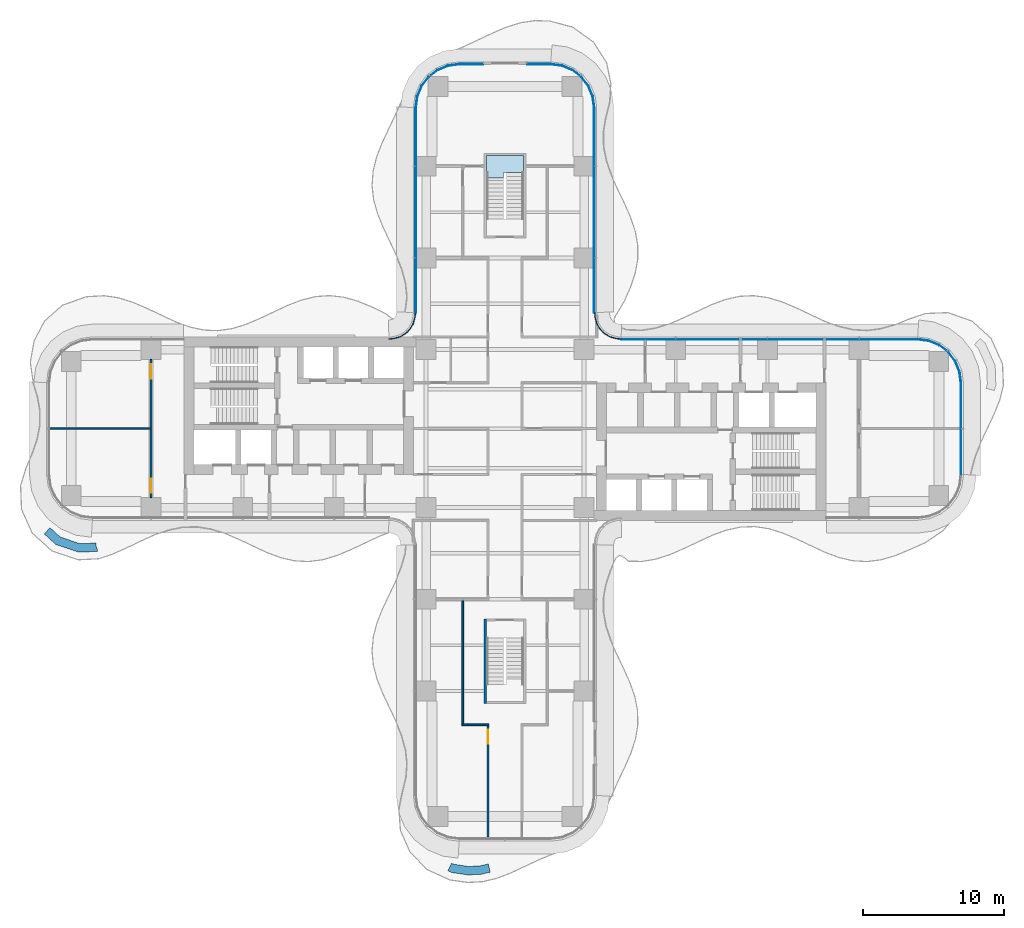
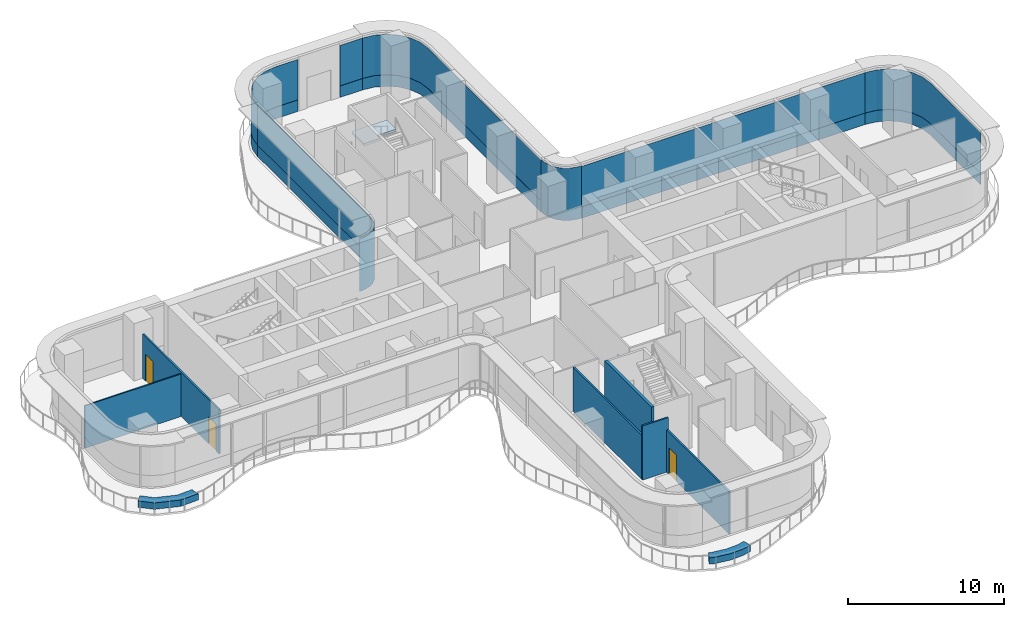
# One storey, part 16 of 22: 14 plates, 8 walls, 3 doors, 1 slab, 3 openings, 9 elements without a shape of their own.
"""IFC4 building model written with IfcOpenShell, lengths in metres."""

from ifc_helpers import new_model, si_unit, direction, frame, frame_2d, origin, place, context, subcontext, project, spatial, polyline, rectangle, outline, extrude, source, transform, mapped, material, layer, layer_set, type_object, element, fill, aggregate, save


model = new_model("IFC4")

# Units and contexts
model_context = context("Model", 3, precision=1e-05, world=origin(), true_north=direction((0.0, 1.0)))
body_context = subcontext(model_context, "Body", "Model", "MODEL_VIEW")
ifc_project = project(units=[si_unit("LENGTHUNIT", "METRE"), si_unit("AREAUNIT", "SQUARE_METRE"), si_unit("VOLUMEUNIT", "CUBIC_METRE"), si_unit("PLANEANGLEUNIT", "RADIAN"), si_unit("MASSUNIT", "GRAM", prefix="KILO")], contexts=[model_context])

# Site, building, storey
site_placement = place(None, origin())
site = spatial("IfcSite", under=ifc_project, at=site_placement, CompositionType="ELEMENT")
building_placement = place(site_placement, origin())
building = spatial("IfcBuilding", under=site, at=building_placement, Name="Trellis Farm Tower", CompositionType="ELEMENT")
storey_placement = place(building_placement, frame((0.0, 0.0, 70.0)))
storey = spatial("IfcBuildingStorey", under=building, at=storey_placement, Name="L14", CompositionType="ELEMENT", Elevation=70.0)

# Stair, slab
ifc_material_1 = material(Name="Concrete C50/60", Category="concrete")
stair_type = type_object("IfcStairType", Name="CORE EXIT STAIR 26 RISERS 173 MM", PredefinedType="HALF_TURN_STAIR", material=ifc_material_1)
placement_1 = place(storey_placement, origin())
stair = element("IfcStair", 1, at=placement_1, inside=storey, type_object=stair_type, Name="Exit stair N", PredefinedType="HALF_TURN_STAIR")
ifc_layer_1 = layer(ifc_material_1, 0.18994140625)
ifc_layer_set_1 = layer_set([ifc_layer_1], Name="CORE STAIR LANDING 190 CONCRETE C50/60")
slab_type = type_object("IfcSlabType", Name="CORE STAIR LANDING 190 CONCRETE C50/60", PredefinedType="LANDING", material=ifc_layer_set_1)
shared_shape_1 = source(origin(), body_context, "Body", "SweptSolid", [
    extrude(outline(polyline([(-0.10009765625, 17.753173828125), (-1.300048828125, 17.753173828125), (-1.300048828125, 18.14990234375), (-1.300048828125, 19.35009765625), (1.300048828125, 19.35009765625), (1.300048828125, 18.14990234375), (1.300048828125, 18.139892578125), (0.10009765625, 18.139892578125), (0.10009765625, 18.14990234375), (-0.10009765625, 18.14990234375), (-0.10009765625, 17.753173828125)])), origin(), (0.0, 0.0, 1.0), 0.18994140625),
])
slab_placement = place(storey_placement, frame((0.0, 0.0, 2.06005859375)))
slab = element("IfcSlab", 2, at=slab_placement, type_object=slab_type, Name="STN landing 1", PredefinedType="LANDING", context=body_context, shape_type="MappedRepresentation", body=[
    mapped(shared_shape_1, transform((0.0, 0.0, 0.0))),
])
aggregate(stair, [slab])

# Curtain wall, plates
ifc_material_2 = material(Name="Aluminium and glass curtain wall", Category="aluminium")
ifc_layer_2 = layer(ifc_material_2, 0.18994140625)
ifc_layer_set_2 = layer_set([ifc_layer_2], Name="RIBBON CURTAIN WALL CW1")
curtain_wall_type_1 = type_object("IfcCurtainWallType", Name="RIBBON CURTAIN WALL CW1", PredefinedType="NOTDEFINED", material=ifc_layer_set_2)
curtain_wall_1 = element("IfcCurtainWall", 3, at=placement_1, inside=storey, type_object=curtain_wall_type_1, Name="CW1 008", PredefinedType="NOTDEFINED")
ifc_material_3 = material(Name="Clear insulated glass", Category="glass")
ifc_layer_3 = layer(ifc_material_3, 0.0400390625)
ifc_layer_set_3 = layer_set([ifc_layer_3], Name="CW1 GLASS PANEL 40")
plate_type_1 = type_object("IfcPlateType", Name="CW1 GLASS PANEL 40", PredefinedType="CURTAIN_PANEL", material=ifc_layer_set_3)
shared_shape_2 = source(origin(), body_context, "Body", "SweptSolid", [
    extrude(outline(polyline([(29.240234375, 6.35009765625), (8.2265625, 6.35009765625), (8.22509765625, 6.31005859375), (29.237548828125, 6.31005859375), (29.240234375, 6.35009765625)])), origin(), (0.0, 0.0, 1.0), 3.170166015625),
])
placement_2 = place(storey_placement, frame((0.0, 0.0, 0.89990234375)))
plate_1 = element("IfcPlate", 4, at=placement_2, type_object=plate_type_1, Name="PL1 008", PredefinedType="CURTAIN_PANEL", context=body_context, shape_type="MappedRepresentation", body=[
    mapped(shared_shape_2, transform((0.0, 0.0, 0.0))),
])
ifc_material_4 = material(Name="Sandstone faced insulated panel", Category="masonry")
ifc_layer_4 = layer(ifc_material_4, 0.050048828125)
ifc_layer_set_4 = layer_set([ifc_layer_4], Name="CW1 STONE SPANDREL PANEL 50")
plate_type_2 = type_object("IfcPlateType", Name="CW1 STONE SPANDREL PANEL 50", PredefinedType="CURTAIN_PANEL", material=ifc_layer_set_4)
shared_shape_3 = source(origin(), body_context, "Body", "SweptSolid", [
    extrude(outline(polyline([(29.240234375, 6.35009765625), (8.2265625, 6.35009765625), (8.224853515625, 6.300048828125), (29.23681640625, 6.300048828125), (29.240234375, 6.35009765625)])), origin(), (0.0, 0.0, 1.0), 0.89990234375),
])
plate_2 = element("IfcPlate", 5, at=placement_1, type_object=plate_type_2, Name="PS1 008", PredefinedType="CURTAIN_PANEL", context=body_context, shape_type="MappedRepresentation", body=[
    mapped(shared_shape_3, transform((0.0, 0.0, 0.0))),
])
aggregate(curtain_wall_1, [plate_1, plate_2])

# Curtain wall, plate
ifc_layer_5 = layer(ifc_material_2, 0.166015625)
ifc_layer_set_5 = layer_set([ifc_layer_5], Name="WINTER GARDEN CURTAIN WALL CW3")
curtain_wall_type_2 = type_object("IfcCurtainWallType", Name="WINTER GARDEN CURTAIN WALL CW3", PredefinedType="NOTDEFINED", material=ifc_layer_set_5)
curtain_wall_2 = element("IfcCurtainWall", 6, at=placement_1, inside=storey, type_object=curtain_wall_type_2, Name="CW3 003", PredefinedType="NOTDEFINED")
ifc_layer_6 = layer(ifc_material_3, 0.0458984375)
ifc_layer_set_6 = layer_set([ifc_layer_6], Name="CW3 GLASS PANEL 46")
plate_type_3 = type_object("IfcPlateType", Name="CW3 GLASS PANEL 46", PredefinedType="CURTAIN_PANEL", material=ifc_layer_set_6)
shared_shape_4 = source(origin(), body_context, "Body", "SweptSolid", [
    extrude(outline(polyline([(8.2275390625, 6.3798828125), (8.0078125, 6.394287109375), (7.89208984375, 6.40966796875), (7.462158203125, 6.52490234375), (7.070556640625, 6.7509765625), (6.7509765625, 7.070556640625), (6.52490234375, 7.462158203125), (6.40966796875, 7.89208984375), (6.394287109375, 8.0078125), (6.3798828125, 8.2275390625), (6.333984375, 8.22607421875), (6.3486328125, 8.003173828125), (6.364501953125, 7.883056640625), (6.48193359375, 7.4443359375), (6.714111328125, 7.04248046875), (7.04248046875, 6.714111328125), (7.4443359375, 6.48193359375), (7.883056640625, 6.364501953125), (8.003173828125, 6.3486328125), (8.22607421875, 6.333984375), (8.2275390625, 6.3798828125)])), origin(), (0.0, 0.0, 1.0), 4.10009765625),
])
plate_3 = element("IfcPlate", 7, at=placement_1, type_object=plate_type_3, Name="PL3 003", PredefinedType="CURTAIN_PANEL", context=body_context, shape_type="MappedRepresentation", body=[
    mapped(shared_shape_4, transform((0.0, 0.0, 0.0))),
])
aggregate(curtain_wall_2, [plate_3])

curtain_wall_3 = element("IfcCurtainWall", 8, at=placement_1, inside=storey, type_object=curtain_wall_type_2, Name="CW3 004", PredefinedType="NOTDEFINED")
shared_shape_5 = source(origin(), body_context, "Body", "SweptSolid", [
    extrude(outline(polyline([(-6.3798828125, 8.2275390625), (-6.394287109375, 8.0078125), (-6.40966796875, 7.89208984375), (-6.52490234375, 7.462158203125), (-6.7509765625, 7.070556640625), (-7.070556640625, 6.7509765625), (-7.462158203125, 6.52490234375), (-7.89208984375, 6.40966796875), (-8.0078125, 6.394287109375), (-8.2275390625, 6.3798828125), (-8.22607421875, 6.333984375), (-8.003173828125, 6.3486328125), (-7.883056640625, 6.364501953125), (-7.4443359375, 6.48193359375), (-7.04248046875, 6.714111328125), (-6.714111328125, 7.04248046875), (-6.48193359375, 7.4443359375), (-6.364501953125, 7.883056640625), (-6.3486328125, 8.003173828125), (-6.333984375, 8.22607421875), (-6.3798828125, 8.2275390625)])), origin(), (0.0, 0.0, 1.0), 4.10009765625),
])
plate_4 = element("IfcPlate", 9, at=placement_1, type_object=plate_type_3, Name="PL3 004", PredefinedType="CURTAIN_PANEL", context=body_context, shape_type="MappedRepresentation", body=[
    mapped(shared_shape_5, transform((0.0, 0.0, 0.0))),
])
aggregate(curtain_wall_3, [plate_4])

# Curtain wall, plates
curtain_wall_4 = element("IfcCurtainWall", 10, at=placement_1, inside=storey, type_object=curtain_wall_type_1, Name="CW1 007", PredefinedType="NOTDEFINED")
shared_shape_6 = source(origin(), body_context, "Body", "SweptSolid", [
    extrude(outline(polyline([(32.35009765625, -3.240234375), (32.35009765625, 3.240234375), (32.2431640625, 4.052001953125), (31.93359375, 4.79931640625), (31.441162109375, 5.441162109375), (30.79931640625, 5.93359375), (30.052001953125, 6.2431640625), (29.240234375, 6.35009765625), (29.237548828125, 6.31005859375), (30.04150390625, 6.2041015625), (30.779296875, 5.898681640625), (31.41259765625, 5.41259765625), (31.898681640625, 4.779296875), (32.2041015625, 4.04150390625), (32.31005859375, 3.237548828125), (32.31005859375, -3.237548828125), (32.35009765625, -3.240234375)])), origin(), (0.0, 0.0, 1.0), 3.170166015625),
])
plate_5 = element("IfcPlate", 11, at=placement_2, type_object=plate_type_1, Name="PL1 007", PredefinedType="CURTAIN_PANEL", context=body_context, shape_type="MappedRepresentation", body=[
    mapped(shared_shape_6, transform((0.0, 0.0, 0.0))),
])
shared_shape_7 = source(origin(), body_context, "Body", "SweptSolid", [
    extrude(outline(polyline([(32.35009765625, -3.240234375), (32.35009765625, 3.240234375), (32.2431640625, 4.052001953125), (31.93359375, 4.79931640625), (31.441162109375, 5.441162109375), (30.79931640625, 5.93359375), (30.052001953125, 6.2431640625), (29.240234375, 6.35009765625), (29.23681640625, 6.300048828125), (30.0390625, 6.1943359375), (30.774169921875, 5.889892578125), (31.405517578125, 5.405517578125), (31.889892578125, 4.774169921875), (32.1943359375, 4.0390625), (32.300048828125, 3.23681640625), (32.300048828125, -3.23681640625), (32.35009765625, -3.240234375)])), origin(), (0.0, 0.0, 1.0), 0.89990234375),
])
plate_6 = element("IfcPlate", 12, at=placement_1, type_object=plate_type_2, Name="PS1 007", PredefinedType="CURTAIN_PANEL", context=body_context, shape_type="MappedRepresentation", body=[
    mapped(shared_shape_7, transform((0.0, 0.0, 0.0))),
])
aggregate(curtain_wall_4, [plate_5, plate_6])

curtain_wall_5 = element("IfcCurtainWall", 13, at=placement_1, inside=storey, type_object=curtain_wall_type_1, Name="CW1 009", PredefinedType="NOTDEFINED")
shared_shape_8 = source(origin(), body_context, "Body", "SweptSolid", [
    extrude(outline(polyline([(6.35009765625, 8.2265625), (6.35009765625, 22.740234375), (6.2431640625, 23.552001953125), (5.93359375, 24.29931640625), (5.441162109375, 24.941162109375), (4.79931640625, 25.43359375), (4.052001953125, 25.7431640625), (3.240234375, 25.85009765625), (3.237548828125, 25.81005859375), (4.04150390625, 25.7041015625), (4.779296875, 25.398681640625), (5.41259765625, 24.91259765625), (5.898681640625, 24.279296875), (6.2041015625, 23.54150390625), (6.31005859375, 22.737548828125), (6.31005859375, 8.22509765625), (6.35009765625, 8.2265625)])), origin(), (0.0, 0.0, 1.0), 3.170166015625),
])
plate_7 = element("IfcPlate", 14, at=placement_2, type_object=plate_type_1, Name="PL1 009", PredefinedType="CURTAIN_PANEL", context=body_context, shape_type="MappedRepresentation", body=[
    mapped(shared_shape_8, transform((0.0, 0.0, 0.0))),
])
shared_shape_9 = source(origin(), body_context, "Body", "SweptSolid", [
    extrude(outline(polyline([(6.35009765625, 8.2265625), (6.35009765625, 22.740234375), (6.2431640625, 23.552001953125), (5.93359375, 24.29931640625), (5.441162109375, 24.941162109375), (4.79931640625, 25.43359375), (4.052001953125, 25.7431640625), (3.240234375, 25.85009765625), (3.23681640625, 25.800048828125), (4.0390625, 25.6943359375), (4.774169921875, 25.389892578125), (5.405517578125, 24.905517578125), (5.889892578125, 24.274169921875), (6.1943359375, 23.5390625), (6.300048828125, 22.73681640625), (6.300048828125, 8.224853515625), (6.35009765625, 8.2265625)])), origin(), (0.0, 0.0, 1.0), 0.89990234375),
])
plate_8 = element("IfcPlate", 15, at=placement_1, type_object=plate_type_2, Name="PS1 009", PredefinedType="CURTAIN_PANEL", context=body_context, shape_type="MappedRepresentation", body=[
    mapped(shared_shape_9, transform((0.0, 0.0, 0.0))),
])
aggregate(curtain_wall_5, [plate_7, plate_8])

curtain_wall_6 = element("IfcCurtainWall", 16, at=placement_1, inside=storey, type_object=curtain_wall_type_1, Name="CW1 012", PredefinedType="NOTDEFINED")
shared_shape_10 = source(origin(), body_context, "Body", "SweptSolid", [
    extrude(outline(polyline([(-6.35009765625, 22.740234375), (-6.35009765625, 8.2265625), (-6.31005859375, 8.22509765625), (-6.31005859375, 22.737548828125), (-6.35009765625, 22.740234375)])), origin(), (0.0, 0.0, 1.0), 3.170166015625),
])
plate_9 = element("IfcPlate", 17, at=placement_2, type_object=plate_type_1, Name="PL1 012", PredefinedType="CURTAIN_PANEL", context=body_context, shape_type="MappedRepresentation", body=[
    mapped(shared_shape_10, transform((0.0, 0.0, 0.0))),
])
shared_shape_11 = source(origin(), body_context, "Body", "SweptSolid", [
    extrude(outline(polyline([(-6.35009765625, 22.740234375), (-6.35009765625, 8.2265625), (-6.300048828125, 8.224853515625), (-6.300048828125, 22.73681640625), (-6.35009765625, 22.740234375)])), origin(), (0.0, 0.0, 1.0), 0.89990234375),
])
plate_10 = element("IfcPlate", 18, at=placement_1, type_object=plate_type_2, Name="PS1 012", PredefinedType="CURTAIN_PANEL", context=body_context, shape_type="MappedRepresentation", body=[
    mapped(shared_shape_11, transform((0.0, 0.0, 0.0))),
])
aggregate(curtain_wall_6, [plate_9, plate_10])

curtain_wall_7 = element("IfcCurtainWall", 19, at=placement_1, inside=storey, type_object=curtain_wall_type_1, Name="CW1 010", PredefinedType="NOTDEFINED")
shared_shape_12 = source(origin(), body_context, "Body", "SweptSolid", [
    extrude(outline(polyline([(3.240234375, 25.85009765625), (1.56005859375, 25.85009765625), (1.56005859375, 25.81005859375), (3.237548828125, 25.81005859375), (3.240234375, 25.85009765625)])), origin(), (0.0, 0.0, 1.0), 3.170166015625),
])
plate_11 = element("IfcPlate", 20, at=placement_2, type_object=plate_type_1, Name="PL1 010", PredefinedType="CURTAIN_PANEL", context=body_context, shape_type="MappedRepresentation", body=[
    mapped(shared_shape_12, transform((0.0, 0.0, 0.0))),
])
shared_shape_13 = source(origin(), body_context, "Body", "SweptSolid", [
    extrude(outline(polyline([(3.240234375, 25.85009765625), (1.56005859375, 25.85009765625), (1.56005859375, 25.800048828125), (3.23681640625, 25.800048828125), (3.240234375, 25.85009765625)])), origin(), (0.0, 0.0, 1.0), 0.89990234375),
])
plate_12 = element("IfcPlate", 21, at=placement_1, type_object=plate_type_2, Name="PS1 010", PredefinedType="CURTAIN_PANEL", context=body_context, shape_type="MappedRepresentation", body=[
    mapped(shared_shape_13, transform((0.0, 0.0, 0.0))),
])
aggregate(curtain_wall_7, [plate_11, plate_12])

curtain_wall_8 = element("IfcCurtainWall", 22, at=placement_1, inside=storey, type_object=curtain_wall_type_1, Name="CW1 011", PredefinedType="NOTDEFINED")
shared_shape_14 = source(origin(), body_context, "Body", "SweptSolid", [
    extrude(outline(polyline([(-1.56005859375, 25.85009765625), (-3.240234375, 25.85009765625), (-4.052001953125, 25.7431640625), (-4.79931640625, 25.43359375), (-5.441162109375, 24.941162109375), (-5.93359375, 24.29931640625), (-6.2431640625, 23.552001953125), (-6.35009765625, 22.740234375), (-6.31005859375, 22.737548828125), (-6.2041015625, 23.54150390625), (-5.898681640625, 24.279296875), (-5.41259765625, 24.91259765625), (-4.779296875, 25.398681640625), (-4.04150390625, 25.7041015625), (-3.237548828125, 25.81005859375), (-1.56005859375, 25.81005859375), (-1.56005859375, 25.85009765625)])), origin(), (0.0, 0.0, 1.0), 3.170166015625),
])
plate_13 = element("IfcPlate", 23, at=placement_2, type_object=plate_type_1, Name="PL1 011", PredefinedType="CURTAIN_PANEL", context=body_context, shape_type="MappedRepresentation", body=[
    mapped(shared_shape_14, transform((0.0, 0.0, 0.0))),
])
shared_shape_15 = source(origin(), body_context, "Body", "SweptSolid", [
    extrude(outline(polyline([(-1.56005859375, 25.85009765625), (-3.240234375, 25.85009765625), (-4.052001953125, 25.7431640625), (-4.79931640625, 25.43359375), (-5.441162109375, 24.941162109375), (-5.93359375, 24.29931640625), (-6.2431640625, 23.552001953125), (-6.35009765625, 22.740234375), (-6.300048828125, 22.73681640625), (-6.1943359375, 23.5390625), (-5.889892578125, 24.274169921875), (-5.405517578125, 24.905517578125), (-4.774169921875, 25.389892578125), (-4.0390625, 25.6943359375), (-3.23681640625, 25.800048828125), (-1.56005859375, 25.800048828125), (-1.56005859375, 25.85009765625)])), origin(), (0.0, 0.0, 1.0), 0.89990234375),
])
plate_14 = element("IfcPlate", 24, at=placement_1, type_object=plate_type_2, Name="PS1 011", PredefinedType="CURTAIN_PANEL", context=body_context, shape_type="MappedRepresentation", body=[
    mapped(shared_shape_15, transform((0.0, 0.0, 0.0))),
])
aggregate(curtain_wall_8, [plate_13, plate_14])

# Walls
ifc_material_5 = material(Name="Sandstone faced masonry planter", Category="masonry")
ifc_layer_7 = layer(ifc_material_5, 0.60009765625)
ifc_layer_set_7 = layer_set([ifc_layer_7], Name="PLANTER BED 600")
wall_type_1 = type_object("IfcWallType", Name="PLANTER BED 600", PredefinedType="USERDEFINED", material=ifc_layer_set_7)
element("IfcWall", 25, at=placement_1, inside=storey, type_object=wall_type_1, Name="PLANTER bed", ObjectType="PLANTER", PredefinedType="USERDEFINED", context=body_context, shape_type="SweptSolid", body=[
    extrude(outline(polyline([(-29.013916015625, -8.260498046875), (-28.873291015625, -8.684814453125), (-28.9345703125, -8.705078125), (-30.221435546875, -8.763427734375), (-31.8525390625, -8.207275390625), (-32.658935546875, -7.46728515625), (-32.25341796875, -7.025146484375), (-31.539794921875, -7.679931640625), (-30.13525390625, -8.158935546875), (-29.003173828125, -8.107666015625), (-28.996337890625, -8.25732421875), (-29.013916015625, -8.260498046875)])), origin(), (0.0, 0.0, 1.0), 0.5),
])
element("IfcWall", 26, at=placement_1, inside=storey, type_object=wall_type_1, Name="PLANTER bed", ObjectType="PLANTER", PredefinedType="USERDEFINED", context=body_context, shape_type="SweptSolid", body=[
    extrude(outline(polyline([(-2.60498046875, -31.6416015625), (-3.79150390625, -31.468017578125), (-4.047119140625, -31.3505859375), (-3.796875, -30.805419921875), (-3.619384765625, -30.88671875), (-2.578125, -31.0390625), (-1.765380859375, -30.993896484375), (-1.187744140625, -30.85791015625), (-1.05029296875, -31.44189453125), (-1.679443359375, -31.590087890625), (-2.60498046875, -31.6416015625)])), origin(), (0.0, 0.0, 1.0), 0.5),
])
ifc_material_6 = material(Name="Concrete C80/95", Category="concrete")
ifc_layer_8 = layer(ifc_material_6, 0.199951171875)
ifc_layer_set_8 = layer_set([ifc_layer_8], Name="CORE STAIR ENCLOSURE WALL 200 CONCRETE C80/95")
wall_type_2 = type_object("IfcWallType", Name="CORE STAIR ENCLOSURE WALL 200 CONCRETE C80/95", PredefinedType="SHEAR", material=ifc_layer_set_8)
shared_shape_16 = source(origin(), body_context, "Body", "SweptSolid", [
    extrude(rectangle(XDim=6.0, YDim=0.199951171875, at=frame_2d((3.0, 0.0))), origin(), (0.0, 0.0, 1.0), 4.25),
])
wall_3_placement = place(storey_placement, frame((-1.39990234375, -13.5, 0.0), z_axis=(0.0, 0.0, 1.0), x_axis=(0.0, -1.0, 0.0)))
element("IfcWall", 27, at=wall_3_placement, inside=storey, type_object=wall_type_2, Name="Stair enclosure wall", PredefinedType="SHEAR", context=body_context, shape_type="MappedRepresentation", body=[
    mapped(shared_shape_16, transform((0.0, 0.0, 0.0))),
])

# Wall, openings, doors
ifc_material_7 = material(Name="Plasterboard on steel studs, mineral wool", Category="steel")
ifc_layer_9 = layer(ifc_material_7, 0.125)
ifc_layer_set_9 = layer_set([ifc_layer_9], Name="PARTITION 125 STUD EI 60")
wall_type_3 = type_object("IfcWallType", Name="PARTITION 125 STUD EI 60", PredefinedType="PARTITIONING", material=ifc_layer_set_9)
shared_shape_17 = source(origin(), body_context, "Body", "SweptSolid", [
    extrude(rectangle(XDim=9.7998046875, YDim=0.125, at=frame_2d((4.89990234375, 0.0))), origin(), (0.0, 0.0, 1.0), 3.4677734375),
])
wall_4_placement = place(storey_placement, frame((-25.10009765625, -4.89990234375, 0.0), z_axis=(0.0, 0.0, 1.0), x_axis=(0.0, 1.0, 0.0)))
wall_4 = element("IfcWall", 28, at=wall_4_placement, inside=storey, type_object=wall_type_3, Name="Partition PW1", PredefinedType="PARTITIONING", context=body_context, shape_type="MappedRepresentation", body=[
    mapped(shared_shape_17, transform((0.0, 0.0, 0.0))),
])
shared_shape_18 = source(origin(), body_context, "Body", "SweptSolid", [
    extrude(rectangle(XDim=1.0, YDim=2.10009765625, at=frame_2d((0.5, 1.050048828125))), frame((0.0, 0.072509765625, 0.0), z_axis=(0.0, -1.0, 0.0), x_axis=(1.0, 0.0, 0.0)), (0.0, 0.0, 1.0), 0.14501953125),
])
opening_1_placement = place(wall_4_placement, frame((0.35009765625, 0.0, 0.0)))
opening_1 = element("IfcOpeningElement", 29, at=opening_1_placement, cuts=wall_4, Name="Opening D104", PredefinedType="OPENING", context=body_context, shape_type="MappedRepresentation", body=[
    mapped(shared_shape_18, transform((0.0, 0.0, 0.0))),
])
opening_2_placement = place(wall_4_placement, frame((8.449951171875, 0.0, 0.0)))
opening_2 = element("IfcOpeningElement", 30, at=opening_2_placement, cuts=wall_4, Name="Opening D110", PredefinedType="OPENING", context=body_context, shape_type="MappedRepresentation", body=[
    mapped(shared_shape_18, transform((0.0, 0.0, 0.0))),
])
ifc_material_8 = material(Name="Fire-rated timber door leaf in a hollow metal frame", Category="wood")
door_type = type_object("IfcDoorType", Name="DOOR 1000x2100 FD30S", OperationType="NOTDEFINED", PredefinedType="DOOR", material=ifc_material_8)
shared_shape_19 = source(origin(), body_context, "Body", "SweptSolid", [
    extrude(rectangle(XDim=1.0, YDim=2.10009765625, at=frame_2d((0.5, 1.050048828125))), frame((0.0, 0.02490234375, 0.0), z_axis=(0.0, -1.0, 0.0), x_axis=(1.0, 0.0, 0.0)), (0.0, 0.0, 1.0), 0.050048828125),
])
door_1_placement = place(opening_1_placement, origin())
door_1 = element("IfcDoor", 31, at=door_1_placement, inside=storey, type_object=door_type, Name="Door D104", OperationType="SINGLE_SWING_LEFT", OverallHeight=2.10009765625, OverallWidth=1.0, PredefinedType="DOOR", context=body_context, shape_type="MappedRepresentation", body=[
    mapped(shared_shape_19, transform((0.0, 0.0, 0.0))),
])
fill(opening_1, door_1)
door_2_placement = place(opening_2_placement, origin())
door_2 = element("IfcDoor", 32, at=door_2_placement, inside=storey, type_object=door_type, Name="Door D110", OperationType="SINGLE_SWING_RIGHT", OverallHeight=2.10009765625, OverallWidth=1.0, PredefinedType="DOOR", context=body_context, shape_type="MappedRepresentation", body=[
    mapped(shared_shape_19, transform((0.0, 0.0, 0.0))),
])
fill(opening_2, door_2)

# Wall
ifc_material_9 = material(Name="Plasterboard on steel studs", Category="steel")
ifc_layer_10 = layer(ifc_material_9, 0.10009765625)
ifc_layer_set_10 = layer_set([ifc_layer_10], Name="PARTITION 100 STUD EI 30")
wall_type_4 = type_object("IfcWallType", Name="PARTITION 100 STUD EI 30", PredefinedType="PARTITIONING", material=ifc_layer_set_10)
shared_shape_20 = source(origin(), body_context, "Body", "SweptSolid", [
    extrude(rectangle(XDim=7.137451171875, YDim=0.10009765625, at=frame_2d((3.56884765625, 0.0))), origin(), (0.0, 0.0, 1.0), 3.330078125),
])
wall_5_placement = place(storey_placement, frame((-32.300048828125, 0.0, 0.0), z_axis=(0.0, 0.0, 1.0), x_axis=(1.0, 0.0, 0.0)))
element("IfcWall", 33, at=wall_5_placement, inside=storey, type_object=wall_type_4, Name="Partition PW2", PredefinedType="PARTITIONING", context=body_context, shape_type="MappedRepresentation", body=[
    mapped(shared_shape_20, transform((0.0, 0.0, 0.0))),
])

# Wall, opening, door
shared_shape_21 = source(origin(), body_context, "Body", "SweptSolid", [
    extrude(rectangle(XDim=7.987548828125, YDim=0.125, at=frame_2d((3.99365234375, 0.0))), origin(), (0.0, 0.0, 1.0), 3.330078125),
])
wall_6_placement = place(storey_placement, frame((-1.199951171875, -21.0625, 0.0), z_axis=(0.0, 0.0, 1.0), x_axis=(0.0, -1.0, 0.0)))
wall_6 = element("IfcWall", 34, at=wall_6_placement, inside=storey, type_object=wall_type_3, Name="Partition PW1", PredefinedType="PARTITIONING", context=body_context, shape_type="MappedRepresentation", body=[
    mapped(shared_shape_21, transform((0.0, 0.0, 0.0))),
])
opening_3_placement = place(wall_6_placement, frame((0.28759765625, 0.0, 0.0)))
opening_3 = element("IfcOpeningElement", 35, at=opening_3_placement, cuts=wall_6, Name="Opening D102", PredefinedType="OPENING", context=body_context, shape_type="MappedRepresentation", body=[
    mapped(shared_shape_18, transform((0.0, 0.0, 0.0))),
])
door_3_placement = place(opening_3_placement, origin())
door_3 = element("IfcDoor", 36, at=door_3_placement, inside=storey, type_object=door_type, Name="Door D102", OperationType="SINGLE_SWING_LEFT", OverallHeight=2.10009765625, OverallWidth=1.0, PredefinedType="DOOR", context=body_context, shape_type="MappedRepresentation", body=[
    mapped(shared_shape_19, transform((0.0, 0.0, 0.0))),
])
fill(opening_3, door_3)

# Walls
shared_shape_22 = source(origin(), body_context, "Body", "SweptSolid", [
    extrude(rectangle(XDim=1.925048828125, YDim=0.125, at=frame_2d((0.96240234375, 0.0))), origin(), (0.0, 0.0, 1.0), 4.25),
])
wall_7_placement = place(storey_placement, frame((-1.137451171875, -21.0, 0.0), z_axis=(0.0, 0.0, 1.0), x_axis=(-1.0, 0.0, 0.0)))
element("IfcWall", 37, at=wall_7_placement, inside=storey, type_object=wall_type_3, Name="Partition PW1", PredefinedType="PARTITIONING", context=body_context, shape_type="MappedRepresentation", body=[
    mapped(shared_shape_22, transform((0.0, 0.0, 0.0))),
])
shared_shape_23 = source(origin(), body_context, "Body", "SweptSolid", [
    extrude(rectangle(XDim=8.78759765625, YDim=0.125, at=frame_2d((4.393798828125, 0.0))), origin(), (0.0, 0.0, 1.0), 3.4677734375),
])
wall_8_placement = place(storey_placement, frame((-3.0, -20.9375, 0.0), z_axis=(0.0, 0.0, 1.0), x_axis=(0.0, 1.0, 0.0)))
element("IfcWall", 38, at=wall_8_placement, inside=storey, type_object=wall_type_3, Name="Partition PW1", PredefinedType="PARTITIONING", context=body_context, shape_type="MappedRepresentation", body=[
    mapped(shared_shape_23, transform((0.0, 0.0, 0.0))),
])

save(model, "model.ifc")
